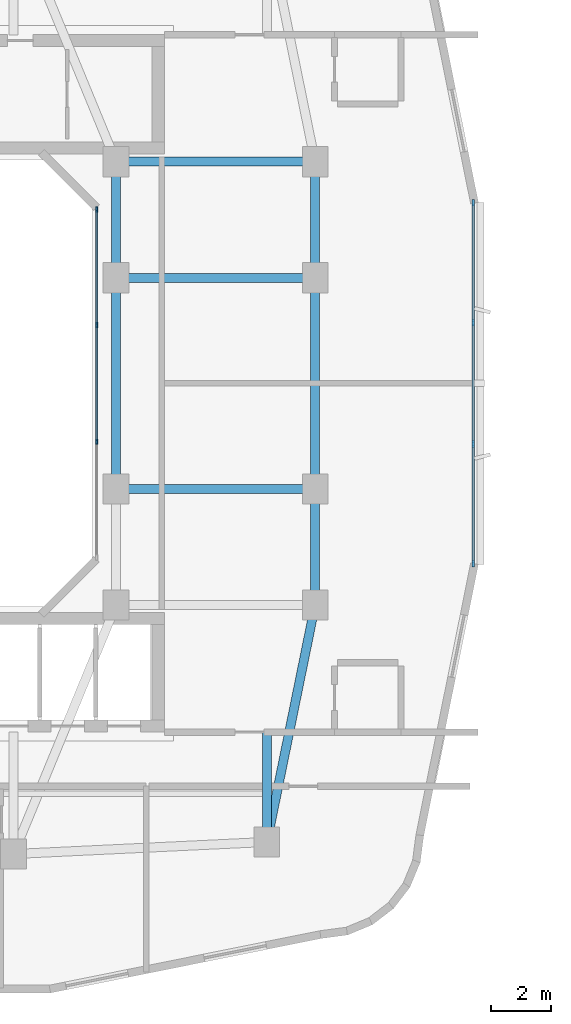
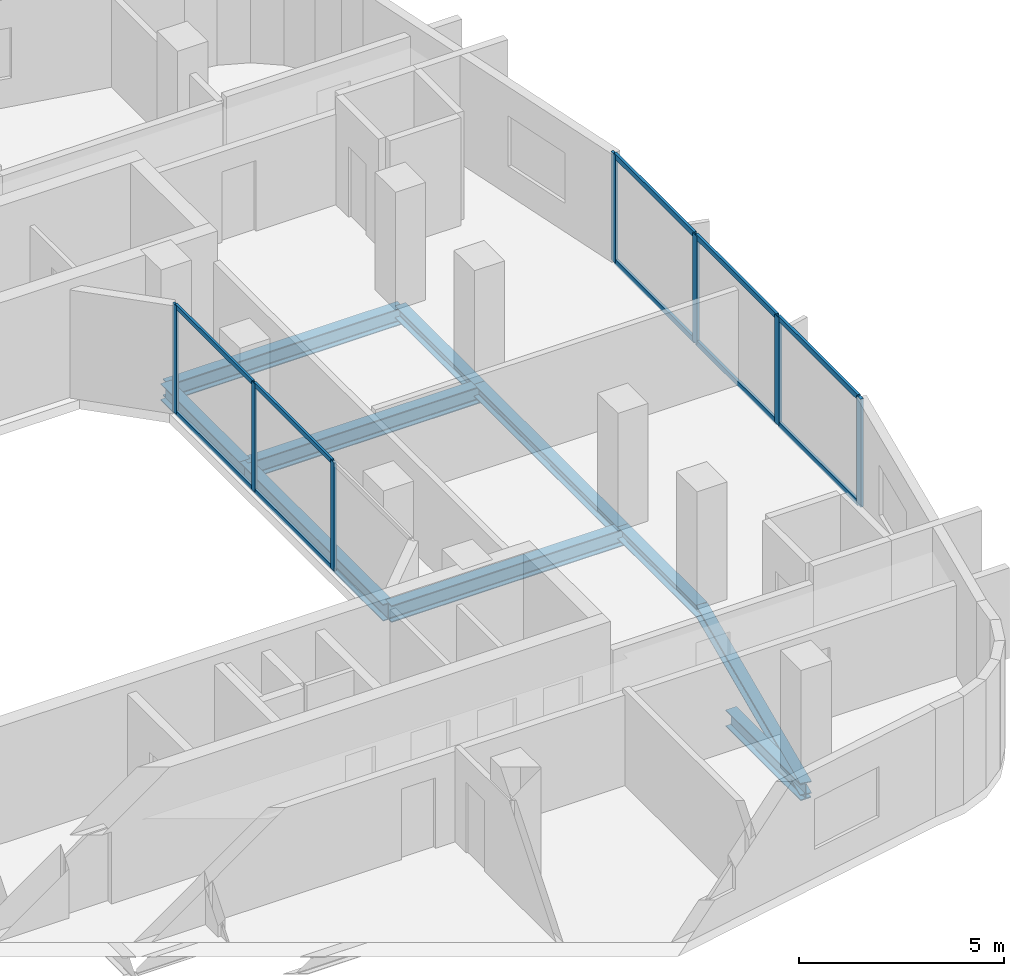
# One storey, part 3 of 13: 17 members, 10 beams, 2 elements without a shape of their own.
"""IFC4 building model written with IfcOpenShell, lengths in metres."""

from ifc_helpers import new_model, si_unit, derived_unit, direction, frame, origin, origin_2d, place, context, subcontext, project, spatial, rectangle, i_section, extrude, material, layer, layer_set, material_profile, profile_set, type_object, element, aggregate, save


model = new_model("IFC4")

# Units and contexts
model_context = context("Model", 3, precision=1e-05, world=origin(), true_north=direction((0.0, 1.0)))
body_context = subcontext(model_context, "Body", "Model", "MODEL_VIEW")
ifc_project = project(units=[si_unit("LENGTHUNIT", "METRE"), si_unit("AREAUNIT", "SQUARE_METRE"), si_unit("VOLUMEUNIT", "CUBIC_METRE"), si_unit("PLANEANGLEUNIT", "RADIAN"), si_unit("MASSUNIT", "GRAM", prefix="KILO"), derived_unit("THERMALTRANSMITTANCEUNIT", [(si_unit("POWERUNIT", "WATT"), 1), (si_unit("LENGTHUNIT", "METRE"), -2), (si_unit("THERMODYNAMICTEMPERATUREUNIT", "KELVIN"), -1)])], contexts=[model_context])

# Site, building, storey
site_placement = place(None, origin())
site = spatial("IfcSite", under=ifc_project, at=site_placement, CompositionType="ELEMENT")
building_placement = place(site_placement, origin())
building = spatial("IfcBuilding", under=site, at=building_placement, Name="Kivonza Crest Hotel", CompositionType="ELEMENT")
storey_placement = place(building_placement, frame((0.0, 0.0, 134.5)))
storey = spatial("IfcBuildingStorey", under=building, at=storey_placement, Name="L36", CompositionType="ELEMENT", Elevation=134.5)

# Beams
ifc_material_1 = material(Name="Steel S355", Category="steel")
ifc_material_profile_1 = material_profile(ifc_material_1, i_section(OverallWidth=0.300048828125, OverallDepth=0.360107421875, WebThickness=0.012451171875, FlangeThickness=0.0224609375, FilletRadius=0.027099609375, at=origin_2d()), Name="HEB 360")
ifc_profile_set_1 = profile_set([ifc_material_profile_1], Name="Steel S355")
beam_type_1 = type_object("IfcBeamType", Name="BM-HEB360", PredefinedType="SPANDREL", material=ifc_profile_set_1)
beam_1_placement = place(storey_placement, frame((34.199951171875, 9.800048828125, -0.4599609375), z_axis=(0.199730733965, 0.979850822273, 0.0), x_axis=(-0.979850822273, 0.199730733965, 0.0)))
element("IfcBeam", 1, at=beam_1_placement, inside=storey, type_object=beam_type_1, Name="Tower T1 L36 perimeter spandrel SE-PSE", PredefinedType="SPANDREL", context=body_context, shape_type="SweptSolid", body=[
    extrude(i_section(OverallWidth=0.300048828125, OverallDepth=0.360107421875, WebThickness=0.012451171875, FlangeThickness=0.0224609375, FilletRadius=0.027099609375, at=origin_2d()), origin(), (0.0, 0.0, 1.0), 8.01123046875),
])
beam_2_placement = place(storey_placement, frame((35.800048828125, 17.64990234375, -0.4599609375), z_axis=(0.0, 1.0, 0.0), x_axis=(-1.0, 0.0, 0.0)))
element("IfcBeam", 2, at=beam_2_placement, inside=storey, type_object=beam_type_1, Name="Tower T1 L36 perimeter spandrel PSE-E1", PredefinedType="SPANDREL", context=body_context, shape_type="SweptSolid", body=[
    extrude(i_section(OverallWidth=0.300048828125, OverallDepth=0.360107421875, WebThickness=0.012451171875, FlangeThickness=0.0224609375, FilletRadius=0.027099609375, at=origin_2d()), origin(), (0.0, 0.0, 1.0), 3.85009765625),
])
beam_3_placement = place(storey_placement, frame((35.800048828125, 21.5, -0.4599609375), z_axis=(0.0, 1.0, 0.0), x_axis=(-1.0, 0.0, 0.0)))
element("IfcBeam", 3, at=beam_3_placement, inside=storey, type_object=beam_type_1, Name="Tower T1 L36 perimeter spandrel E1-E2", PredefinedType="SPANDREL", context=body_context, shape_type="SweptSolid", body=[
    extrude(i_section(OverallWidth=0.300048828125, OverallDepth=0.360107421875, WebThickness=0.012451171875, FlangeThickness=0.0224609375, FilletRadius=0.027099609375, at=origin_2d()), origin(), (0.0, 0.0, 1.0), 7.0),
])
beam_4_placement = place(storey_placement, frame((35.800048828125, 28.5, -0.4599609375), z_axis=(0.0, 1.0, 0.0), x_axis=(-1.0, 0.0, 0.0)))
element("IfcBeam", 4, at=beam_4_placement, inside=storey, type_object=beam_type_1, Name="Tower T1 L36 perimeter spandrel E2-PNE", PredefinedType="SPANDREL", context=body_context, shape_type="SweptSolid", body=[
    extrude(i_section(OverallWidth=0.300048828125, OverallDepth=0.360107421875, WebThickness=0.012451171875, FlangeThickness=0.0224609375, FilletRadius=0.027099609375, at=origin_2d()), origin(), (0.0, 0.0, 1.0), 3.85009765625),
])
ifc_material_profile_2 = material_profile(ifc_material_1, i_section(OverallWidth=0.300048828125, OverallDepth=0.5, WebThickness=0.014404296875, FlangeThickness=0.028076171875, FilletRadius=0.027099609375, at=origin_2d()), Name="HEB 500")
ifc_profile_set_2 = profile_set([ifc_material_profile_2], Name="Steel S355")
beam_type_2 = type_object("IfcBeamType", Name="BM-HEB500", PredefinedType="BEAM", material=ifc_profile_set_2)
beam_5_placement = place(storey_placement, frame((29.199951171875, 32.35009765625, -0.530029296875), z_axis=(1.0, 0.0, 0.0), x_axis=(0.0, 1.0, 0.0)))
element("IfcBeam", 5, at=beam_5_placement, inside=storey, type_object=beam_type_2, Name="Tower T1 L36 primary girder TNE-PNE", PredefinedType="BEAM", context=body_context, shape_type="SweptSolid", body=[
    extrude(i_section(OverallWidth=0.300048828125, OverallDepth=0.5, WebThickness=0.014404296875, FlangeThickness=0.028076171875, FilletRadius=0.027099609375, at=origin_2d()), origin(), (0.0, 0.0, 1.0), 6.60009765625),
])
beam_6_placement = place(storey_placement, frame((29.199951171875, 21.5, -0.530029296875), z_axis=(0.0, 1.0, 0.0), x_axis=(-1.0, 0.0, 0.0)))
element("IfcBeam", 6, at=beam_6_placement, inside=storey, type_object=beam_type_2, Name="Tower T1 L36 primary girder WR1-WR2", PredefinedType="BEAM", context=body_context, shape_type="SweptSolid", body=[
    extrude(i_section(OverallWidth=0.300048828125, OverallDepth=0.5, WebThickness=0.014404296875, FlangeThickness=0.028076171875, FilletRadius=0.027099609375, at=origin_2d()), origin(), (0.0, 0.0, 1.0), 7.0),
])
beam_7_placement = place(storey_placement, frame((29.199951171875, 28.5, -0.530029296875), z_axis=(0.0, 1.0, 0.0), x_axis=(-1.0, 0.0, 0.0)))
element("IfcBeam", 7, at=beam_7_placement, inside=storey, type_object=beam_type_2, Name="Tower T1 L36 primary girder WR2-TNE", PredefinedType="BEAM", context=body_context, shape_type="SweptSolid", body=[
    extrude(i_section(OverallWidth=0.300048828125, OverallDepth=0.5, WebThickness=0.014404296875, FlangeThickness=0.028076171875, FilletRadius=0.027099609375, at=origin_2d()), origin(), (0.0, 0.0, 1.0), 3.85009765625),
])
for number, where, z_axis, x_axis, name in (
    (8, (29.199951171875, 21.5, -0.530029296875), (1.0, 0.0, 0.0), (0.0, 1.0, 0.0), "Tower T1 L36 primary girder WR1-E1"),
    (9, (29.199951171875, 28.5, -0.530029296875), (1.0, 0.0, 0.0), (0.0, 1.0, 0.0), "Tower T1 L36 primary girder WR2-E2"),
):
    element("IfcBeam", number, at=place(storey_placement, frame(where, z_axis=z_axis, x_axis=x_axis)), inside=storey, type_object=beam_type_2, Name=name, PredefinedType="BEAM", context=body_context, shape_type="SweptSolid", body=[
        extrude(i_section(OverallWidth=0.300048828125, OverallDepth=0.5, WebThickness=0.014404296875, FlangeThickness=0.028076171875, FilletRadius=0.027099609375, at=origin_2d()), origin(), (0.0, 0.0, 1.0), 6.60009765625),
    ])
beam_8_placement = place(storey_placement, frame((34.199951171875, 9.800048828125, -0.530029296875), z_axis=(0.0, 1.0, 0.0), x_axis=(-1.0, 0.0, 0.0)))
element("IfcBeam", 10, at=beam_8_placement, inside=storey, type_object=beam_type_2, Name="Tower T1 L36 radial core girder RSE", PredefinedType="BEAM", context=body_context, shape_type="SweptSolid", body=[
    extrude(i_section(OverallWidth=0.300048828125, OverallDepth=0.5, WebThickness=0.014404296875, FlangeThickness=0.028076171875, FilletRadius=0.027099609375, at=origin_2d()), origin(), (0.0, 0.0, 1.0), 3.64990234375),
])

# Curtain wall, members
ifc_material_2 = material(Name="Anodised bronze aluminium and low-E double glazing", Category="aluminium")
ifc_layer_1 = layer(ifc_material_2, 0.159912109375)
ifc_layer_set_1 = layer_set([ifc_layer_1], Name="Anodised bronze aluminium and low-E double glazing")
curtain_wall_type_1 = type_object("IfcCurtainWallType", Name="CW-SYS-5", PredefinedType="NOTDEFINED", material=ifc_layer_set_1)
curtain_wall_1_placement = place(storey_placement, origin())
curtain_wall_1 = element("IfcCurtainWall", 11, at=curtain_wall_1_placement, inside=storey, type_object=curtain_wall_type_1, Name="L36 unitised curtain wall CW-WELL-T1-L36-3", PredefinedType="NOTDEFINED")
ifc_material_3 = material(Name="Anodised bronze aluminium", Category="aluminium")
ifc_material_profile_3 = material_profile(ifc_material_3, rectangle(XDim=0.06494140625, YDim=0.179931640625, at=origin_2d()), Name="CW-M 65x180")
ifc_profile_set_3 = profile_set([ifc_material_profile_3], Name="Anodised bronze aluminium")
member_type_1 = type_object("IfcMemberType", Name="CW-MUL-65x180", PredefinedType="MULLION", material=ifc_profile_set_3)
member_1_placement = place(storey_placement, frame((28.56005859375, 23.066650390625, 0.0), z_axis=(0.0, 0.0, 1.0), x_axis=(-1.0, 0.0, 0.0)))
member_1 = element("IfcMember", 12, at=member_1_placement, type_object=member_type_1, Name="CW-5 mullion 2", PredefinedType="MULLION", context=body_context, shape_type="SweptSolid", body=[
    extrude(rectangle(XDim=0.06494140625, YDim=0.179931640625, at=origin_2d()), origin(), (0.0, 0.0, 1.0), 3.219970703125),
])
member_2_placement = place(storey_placement, frame((28.56005859375, 26.933349609375, 0.0), z_axis=(0.0, 0.0, 1.0), x_axis=(-1.0, 0.0, 0.0)))
member_2 = element("IfcMember", 13, at=member_2_placement, type_object=member_type_1, Name="CW-5 mullion 3", PredefinedType="MULLION", context=body_context, shape_type="SweptSolid", body=[
    extrude(rectangle(XDim=0.06494140625, YDim=0.179931640625, at=origin_2d()), origin(), (0.0, 0.0, 1.0), 3.219970703125),
])
member_3_placement = place(storey_placement, frame((28.56005859375, 30.767578125, 0.0), z_axis=(0.0, 0.0, 1.0), x_axis=(-1.0, 0.0, 0.0)))
member_3 = element("IfcMember", 14, at=member_3_placement, type_object=member_type_1, Name="CW-5 mullion 4", PredefinedType="MULLION", context=body_context, shape_type="SweptSolid", body=[
    extrude(rectangle(XDim=0.06494140625, YDim=0.179931640625, at=origin_2d()), origin(), (0.0, 0.0, 1.0), 3.219970703125),
])

ifc_layer_2 = layer(ifc_material_2, 0.179931640625)
ifc_layer_set_2 = layer_set([ifc_layer_2], Name="Anodised bronze aluminium and low-E double glazing")
curtain_wall_type_2 = type_object("IfcCurtainWallType", Name="CW-SYS-3", PredefinedType="NOTDEFINED", material=ifc_layer_set_2)
curtain_wall_2_placement = place(storey_placement, origin())
curtain_wall_2 = element("IfcCurtainWall", 15, at=curtain_wall_2_placement, inside=storey, type_object=curtain_wall_type_2, Name="L36 unitised curtain wall CW-T1-L36-17", PredefinedType="NOTDEFINED")
ifc_material_profile_4 = material_profile(ifc_material_3, rectangle(XDim=0.074951171875, YDim=0.219970703125, at=origin_2d()), Name="CW-M 75x220")
ifc_profile_set_4 = profile_set([ifc_material_profile_4], Name="Anodised bronze aluminium")
member_type_2 = type_object("IfcMemberType", Name="CW-MUL-75x220", PredefinedType="MULLION", material=ifc_profile_set_4)
member_4_placement = place(storey_placement, frame((41.0400390625, 19.017578125, 0.0), z_axis=(0.0, 0.0, 1.0), x_axis=(-1.0, 0.0, 0.0)))
member_4 = element("IfcMember", 16, at=member_4_placement, type_object=member_type_2, Name="CW-3 mullion 1", PredefinedType="MULLION", context=body_context, shape_type="SweptSolid", body=[
    extrude(rectangle(XDim=0.074951171875, YDim=0.219970703125, at=origin_2d()), origin(), (0.0, 0.0, 1.0), 3.219970703125),
])
member_5_placement = place(storey_placement, frame((41.0400390625, 22.993408203125, 0.0), z_axis=(0.0, 0.0, 1.0), x_axis=(-1.0, 0.0, 0.0)))
member_5 = element("IfcMember", 17, at=member_5_placement, type_object=member_type_2, Name="CW-3 mullion 2", PredefinedType="MULLION", context=body_context, shape_type="SweptSolid", body=[
    extrude(rectangle(XDim=0.074951171875, YDim=0.219970703125, at=origin_2d()), origin(), (0.0, 0.0, 1.0), 3.219970703125),
])
member_6_placement = place(storey_placement, frame((41.0400390625, 27.006591796875, 0.0), z_axis=(0.0, 0.0, 1.0), x_axis=(-1.0, 0.0, 0.0)))
member_6 = element("IfcMember", 18, at=member_6_placement, type_object=member_type_2, Name="CW-3 mullion 3", PredefinedType="MULLION", context=body_context, shape_type="SweptSolid", body=[
    extrude(rectangle(XDim=0.074951171875, YDim=0.219970703125, at=origin_2d()), origin(), (0.0, 0.0, 1.0), 3.219970703125),
])
member_7_placement = place(storey_placement, frame((41.0400390625, 30.982421875, 0.0), z_axis=(0.0, 0.0, 1.0), x_axis=(-1.0, 0.0, 0.0)))
member_7 = element("IfcMember", 19, at=member_7_placement, type_object=member_type_2, Name="CW-3 mullion 4", PredefinedType="MULLION", context=body_context, shape_type="SweptSolid", body=[
    extrude(rectangle(XDim=0.074951171875, YDim=0.219970703125, at=origin_2d()), origin(), (0.0, 0.0, 1.0), 3.219970703125),
])

# Member
ifc_material_profile_5 = material_profile(ifc_material_3, rectangle(XDim=0.06494140625, YDim=0.139892578125, at=origin_2d()), Name="CW-T 65x140")
ifc_profile_set_5 = profile_set([ifc_material_profile_5], Name="Anodised bronze aluminium")
member_type_3 = type_object("IfcMemberType", Name="CW-TRN-65x140", PredefinedType="USERDEFINED", material=ifc_profile_set_5)
member_8_placement = place(storey_placement, frame((28.56005859375, 23.09912109375, 0.032470703125), z_axis=(0.0, 1.0, 0.0), x_axis=(-1.0, 0.0, 0.0)))
member_8 = element("IfcMember", 20, at=member_8_placement, type_object=member_type_3, Name="CW-5 transom 2.1", ObjectType="TRANSOM", PredefinedType="USERDEFINED", context=body_context, shape_type="SweptSolid", body=[
    extrude(rectangle(XDim=0.06494140625, YDim=0.139892578125, at=origin_2d()), origin(), (0.0, 0.0, 1.0), 3.8017578125),
])

member_9_placement = place(storey_placement, frame((28.56005859375, 23.09912109375, 3.1875), z_axis=(0.0, 1.0, 0.0), x_axis=(-1.0, 0.0, 0.0)))
member_9 = element("IfcMember", 21, at=member_9_placement, type_object=member_type_3, Name="CW-5 transom 2.2", ObjectType="TRANSOM", PredefinedType="USERDEFINED", context=body_context, shape_type="SweptSolid", body=[
    extrude(rectangle(XDim=0.06494140625, YDim=0.139892578125, at=origin_2d()), origin(), (0.0, 0.0, 1.0), 3.8017578125),
])

member_10_placement = place(storey_placement, frame((28.56005859375, 26.9658203125, 0.032470703125), z_axis=(0.0, 1.0, 0.0), x_axis=(-1.0, 0.0, 0.0)))
member_10 = element("IfcMember", 22, at=member_10_placement, type_object=member_type_3, Name="CW-5 transom 3.1", ObjectType="TRANSOM", PredefinedType="USERDEFINED", context=body_context, shape_type="SweptSolid", body=[
    extrude(rectangle(XDim=0.06494140625, YDim=0.139892578125, at=origin_2d()), origin(), (0.0, 0.0, 1.0), 3.769287109375),
])

member_11_placement = place(storey_placement, frame((28.56005859375, 26.9658203125, 3.1875), z_axis=(0.0, 1.0, 0.0), x_axis=(-1.0, 0.0, 0.0)))
member_11 = element("IfcMember", 23, at=member_11_placement, type_object=member_type_3, Name="CW-5 transom 3.2", ObjectType="TRANSOM", PredefinedType="USERDEFINED", context=body_context, shape_type="SweptSolid", body=[
    extrude(rectangle(XDim=0.06494140625, YDim=0.139892578125, at=origin_2d()), origin(), (0.0, 0.0, 1.0), 3.769287109375),
])

aggregate(curtain_wall_1, [member_1, member_2, member_3, member_8, member_9, member_10, member_11])

ifc_material_profile_6 = material_profile(ifc_material_3, rectangle(XDim=0.074951171875, YDim=0.159912109375, at=origin_2d()), Name="CW-T 75x160")
ifc_profile_set_6 = profile_set([ifc_material_profile_6], Name="Anodised bronze aluminium")
member_type_4 = type_object("IfcMemberType", Name="CW-TRN-75x160", PredefinedType="USERDEFINED", material=ifc_profile_set_6)
member_12_placement = place(storey_placement, frame((41.0400390625, 19.054931640625, 0.03759765625), z_axis=(0.0, 1.0, 0.0), x_axis=(-1.0, 0.0, 0.0)))
member_12 = element("IfcMember", 24, at=member_12_placement, type_object=member_type_4, Name="CW-3 transom 1.1", ObjectType="TRANSOM", PredefinedType="USERDEFINED", context=body_context, shape_type="SweptSolid", body=[
    extrude(rectangle(XDim=0.074951171875, YDim=0.159912109375, at=origin_2d()), origin(), (0.0, 0.0, 1.0), 3.90087890625),
])

member_13_placement = place(storey_placement, frame((41.0400390625, 19.054931640625, 3.1826171875), z_axis=(0.0, 1.0, 0.0), x_axis=(-1.0, 0.0, 0.0)))
member_13 = element("IfcMember", 25, at=member_13_placement, type_object=member_type_4, Name="CW-3 transom 1.2", ObjectType="TRANSOM", PredefinedType="USERDEFINED", context=body_context, shape_type="SweptSolid", body=[
    extrude(rectangle(XDim=0.074951171875, YDim=0.159912109375, at=origin_2d()), origin(), (0.0, 0.0, 1.0), 3.90087890625),
])

member_14_placement = place(storey_placement, frame((41.0400390625, 23.03076171875, 0.03759765625), z_axis=(0.0, 1.0, 0.0), x_axis=(-1.0, 0.0, 0.0)))
member_14 = element("IfcMember", 26, at=member_14_placement, type_object=member_type_4, Name="CW-3 transom 2.1", ObjectType="TRANSOM", PredefinedType="USERDEFINED", context=body_context, shape_type="SweptSolid", body=[
    extrude(rectangle(XDim=0.074951171875, YDim=0.159912109375, at=origin_2d()), origin(), (0.0, 0.0, 1.0), 3.9384765625),
])

member_15_placement = place(storey_placement, frame((41.0400390625, 23.03076171875, 3.1826171875), z_axis=(0.0, 1.0, 0.0), x_axis=(-1.0, 0.0, 0.0)))
member_15 = element("IfcMember", 27, at=member_15_placement, type_object=member_type_4, Name="CW-3 transom 2.2", ObjectType="TRANSOM", PredefinedType="USERDEFINED", context=body_context, shape_type="SweptSolid", body=[
    extrude(rectangle(XDim=0.074951171875, YDim=0.159912109375, at=origin_2d()), origin(), (0.0, 0.0, 1.0), 3.9384765625),
])

member_16_placement = place(storey_placement, frame((41.0400390625, 27.044189453125, 0.03759765625), z_axis=(0.0, 1.0, 0.0), x_axis=(-1.0, 0.0, 0.0)))
member_16 = element("IfcMember", 28, at=member_16_placement, type_object=member_type_4, Name="CW-3 transom 3.1", ObjectType="TRANSOM", PredefinedType="USERDEFINED", context=body_context, shape_type="SweptSolid", body=[
    extrude(rectangle(XDim=0.074951171875, YDim=0.159912109375, at=origin_2d()), origin(), (0.0, 0.0, 1.0), 3.90087890625),
])

member_17_placement = place(storey_placement, frame((41.0400390625, 27.044189453125, 3.1826171875), z_axis=(0.0, 1.0, 0.0), x_axis=(-1.0, 0.0, 0.0)))
member_17 = element("IfcMember", 29, at=member_17_placement, type_object=member_type_4, Name="CW-3 transom 3.2", ObjectType="TRANSOM", PredefinedType="USERDEFINED", context=body_context, shape_type="SweptSolid", body=[
    extrude(rectangle(XDim=0.074951171875, YDim=0.159912109375, at=origin_2d()), origin(), (0.0, 0.0, 1.0), 3.90087890625),
])

aggregate(curtain_wall_2, [member_4, member_5, member_6, member_7, member_12, member_13, member_14, member_15, member_16, member_17])

save(model, "model.ifc")
